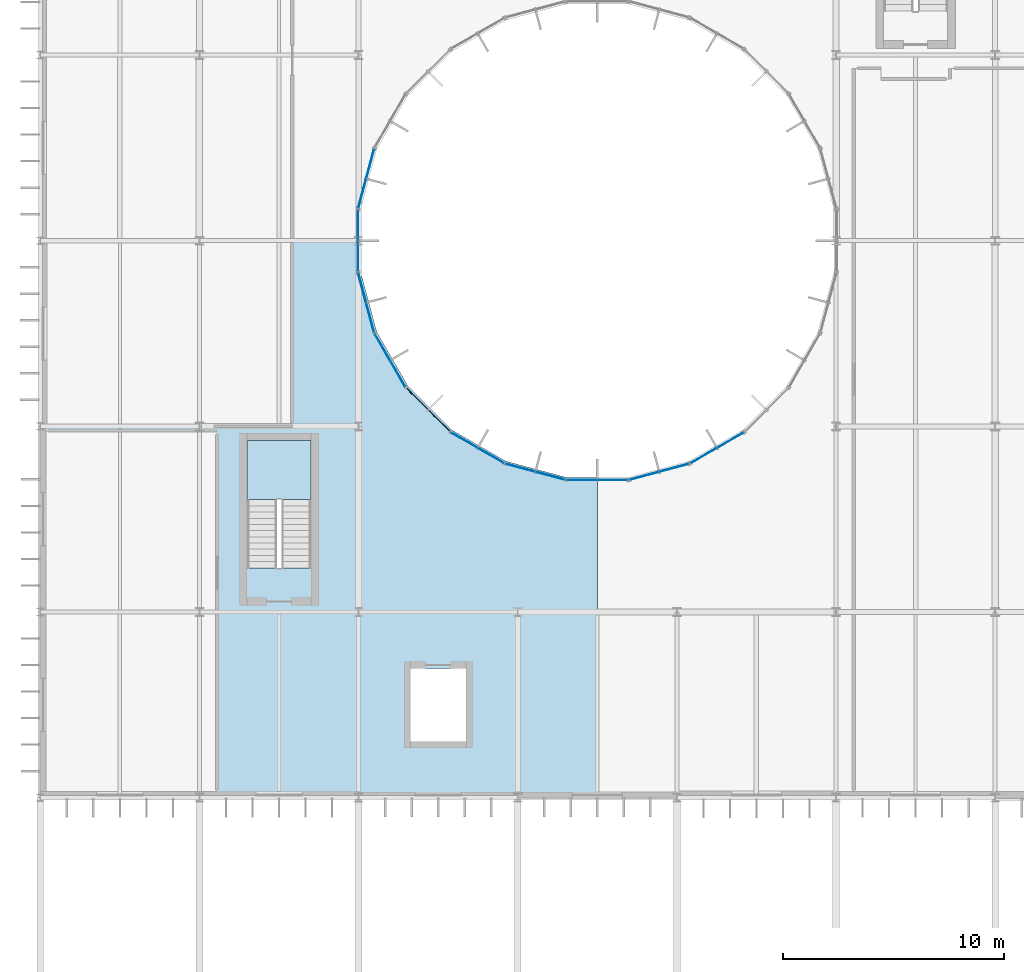
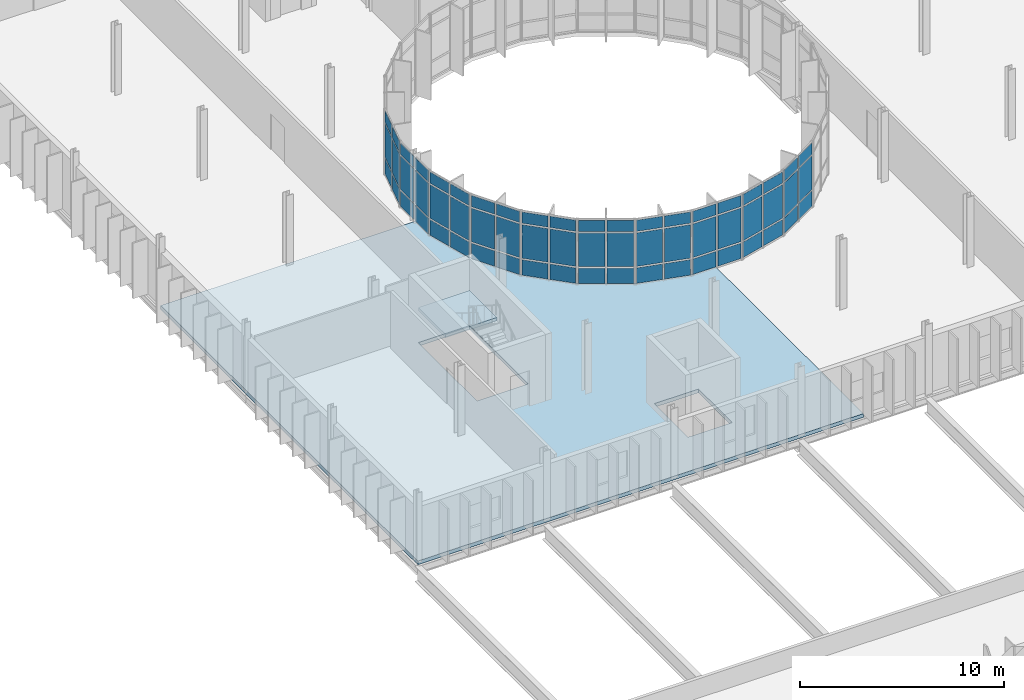
# One storey, part 73 of 119: 60 plates, 2 slabs, 11 elements without a shape of their own.
"""IFC4 building model written with IfcOpenShell, lengths in metres."""

from ifc_helpers import new_model, si_unit, direction, frame, origin, origin_2d, place, context, subcontext, project, spatial, polyline, rectangle, outline, extrude, material, layer, layer_set, type_object, element, aggregate, save


model = new_model("IFC4")

# Units and contexts
model_context = context("Model", 3, precision=1e-05, world=origin(), true_north=direction((0.0, 1.0)))
body_context = subcontext(model_context, "Body", "Model", "MODEL_VIEW")
ifc_project = project(units=[si_unit("LENGTHUNIT", "METRE"), si_unit("AREAUNIT", "SQUARE_METRE"), si_unit("VOLUMEUNIT", "CUBIC_METRE"), si_unit("PLANEANGLEUNIT", "RADIAN"), si_unit("MASSUNIT", "GRAM", prefix="KILO")], contexts=[model_context])

# Site, building, storey
site_placement = place(None, origin())
site = spatial("IfcSite", under=ifc_project, at=site_placement, CompositionType="ELEMENT")
building_placement = place(site_placement, origin())
building = spatial("IfcBuilding", under=site, at=building_placement, Name="Qelthora Terrace Specialist Clinic", CompositionType="ELEMENT")
storey_placement = place(building_placement, frame((0.0, 0.0, 4.800048828125)))
storey = spatial("IfcBuildingStorey", under=building, at=storey_placement, Name="L01", CompositionType="ELEMENT", Elevation=4.800048828125)

# Curtain wall, plates
ifc_material_1 = material(Name="Aluminium anodized bronze", Category="aluminium")
curtain_wall_type = type_object("IfcCurtainWallType", Name="CW-CRTW-UPP", PredefinedType="NOTDEFINED", material=ifc_material_1)
curtain_wall_1_placement = place(storey_placement, origin())
curtain_wall_1 = element("IfcCurtainWall", 1, at=curtain_wall_1_placement, inside=storey, type_object=curtain_wall_type, Name="Curtain wall CW-CW-L01-11", PredefinedType="NOTDEFINED")
ifc_material_2 = material(Name="Low-E triple-silver insulating glass", Category="glass")
ifc_layer_1 = layer(ifc_material_2, 0.035888671875)
ifc_layer_set_1 = layer_set([ifc_layer_1], Name="Low-E triple-silver insulating glass")
plate_type = type_object("IfcPlateType", Name="CWP-IGU-36", PredefinedType="CURTAIN_PANEL", material=ifc_layer_set_1)
plate_1_placement = place(storey_placement, frame((14.923828125, 87.483154296875, 0.0849609375), z_axis=(0.0, 0.0, 1.0), x_axis=(-0.258820730961, -0.965925374563, 0.0)))
plate_1 = element("IfcPlate", 2, at=plate_1_placement, type_object=plate_type, Name="CW-CW-L01-11 glazed panel 1", PredefinedType="CURTAIN_PANEL", context=body_context, shape_type="SweptSolid", body=[
    extrude(rectangle(XDim=1.3095703125, YDim=0.035888671875, at=origin_2d()), origin(), (0.0, 0.0, 1.0), 0.919921875),
])
plate_2_placement = place(storey_placement, frame((14.923828125, 87.483154296875, 1.094970703125), z_axis=(0.0, 0.0, 1.0), x_axis=(-0.258820730961, -0.965925374563, 0.0)))
plate_2 = element("IfcPlate", 3, at=plate_2_placement, type_object=plate_type, Name="CW-CW-L01-11 glazed panel 2", PredefinedType="CURTAIN_PANEL", context=body_context, shape_type="SweptSolid", body=[
    extrude(rectangle(XDim=1.3095703125, YDim=0.035888671875, at=origin_2d()), origin(), (0.0, 0.0, 1.0), 2.0048828125),
])
plate_3_placement = place(storey_placement, frame((14.923828125, 87.483154296875, 3.18994140625), z_axis=(0.0, 0.0, 1.0), x_axis=(-0.258820730961, -0.965925374563, 0.0)))
plate_3 = element("IfcPlate", 4, at=plate_3_placement, type_object=plate_type, Name="CW-CW-L01-11 glazed panel 3", PredefinedType="CURTAIN_PANEL", context=body_context, shape_type="SweptSolid", body=[
    extrude(rectangle(XDim=1.3095703125, YDim=0.035888671875, at=origin_2d()), origin(), (0.0, 0.0, 1.0), 0.669921875),
])
plate_4_placement = place(storey_placement, frame((14.558837890625, 86.12158203125, 0.0849609375), z_axis=(0.0, 0.0, 1.0), x_axis=(-0.258820730961, -0.965925374563, 0.0)))
plate_4 = element("IfcPlate", 5, at=plate_4_placement, type_object=plate_type, Name="CW-CW-L01-11 glazed panel 4", PredefinedType="CURTAIN_PANEL", context=body_context, shape_type="SweptSolid", body=[
    extrude(rectangle(XDim=1.3095703125, YDim=0.035888671875, at=origin_2d()), origin(), (0.0, 0.0, 1.0), 0.919921875),
])
plate_5_placement = place(storey_placement, frame((14.558837890625, 86.12158203125, 1.094970703125), z_axis=(0.0, 0.0, 1.0), x_axis=(-0.258820730961, -0.965925374563, 0.0)))
plate_5 = element("IfcPlate", 6, at=plate_5_placement, type_object=plate_type, Name="CW-CW-L01-11 glazed panel 5", PredefinedType="CURTAIN_PANEL", context=body_context, shape_type="SweptSolid", body=[
    extrude(rectangle(XDim=1.3095703125, YDim=0.035888671875, at=origin_2d()), origin(), (0.0, 0.0, 1.0), 2.0048828125),
])
plate_6_placement = place(storey_placement, frame((14.558837890625, 86.12158203125, 3.18994140625), z_axis=(0.0, 0.0, 1.0), x_axis=(-0.258820730961, -0.965925374563, 0.0)))
plate_6 = element("IfcPlate", 7, at=plate_6_placement, type_object=plate_type, Name="CW-CW-L01-11 glazed panel 6", PredefinedType="CURTAIN_PANEL", context=body_context, shape_type="SweptSolid", body=[
    extrude(rectangle(XDim=1.3095703125, YDim=0.035888671875, at=origin_2d()), origin(), (0.0, 0.0, 1.0), 0.669921875),
])
aggregate(curtain_wall_1, [plate_1, plate_2, plate_3, plate_4, plate_5, plate_6])

curtain_wall_2_placement = place(storey_placement, origin())
curtain_wall_2 = element("IfcCurtainWall", 8, at=curtain_wall_2_placement, inside=storey, type_object=curtain_wall_type, Name="Curtain wall CW-CW-L01-12", PredefinedType="NOTDEFINED")
plate_7_placement = place(storey_placement, frame((14.372314453125, 84.704833984375, 0.0849609375), z_axis=(0.0, 0.0, 1.0), x_axis=(0.0, -1.0, 0.0)))
plate_7 = element("IfcPlate", 9, at=plate_7_placement, type_object=plate_type, Name="CW-CW-L01-12 glazed panel 1", PredefinedType="CURTAIN_PANEL", context=body_context, shape_type="SweptSolid", body=[
    extrude(rectangle(XDim=1.3095703125, YDim=0.035888671875, at=origin_2d()), origin(), (0.0, 0.0, 1.0), 0.919921875),
])
plate_8_placement = place(storey_placement, frame((14.372314453125, 84.704833984375, 1.094970703125), z_axis=(0.0, 0.0, 1.0), x_axis=(0.0, -1.0, 0.0)))
plate_8 = element("IfcPlate", 10, at=plate_8_placement, type_object=plate_type, Name="CW-CW-L01-12 glazed panel 2", PredefinedType="CURTAIN_PANEL", context=body_context, shape_type="SweptSolid", body=[
    extrude(rectangle(XDim=1.3095703125, YDim=0.035888671875, at=origin_2d()), origin(), (0.0, 0.0, 1.0), 2.0048828125),
])
plate_9_placement = place(storey_placement, frame((14.372314453125, 84.704833984375, 3.18994140625), z_axis=(0.0, 0.0, 1.0), x_axis=(0.0, -1.0, 0.0)))
plate_9 = element("IfcPlate", 11, at=plate_9_placement, type_object=plate_type, Name="CW-CW-L01-12 glazed panel 3", PredefinedType="CURTAIN_PANEL", context=body_context, shape_type="SweptSolid", body=[
    extrude(rectangle(XDim=1.3095703125, YDim=0.035888671875, at=origin_2d()), origin(), (0.0, 0.0, 1.0), 0.669921875),
])
plate_10_placement = place(storey_placement, frame((14.372314453125, 83.295166015625, 0.0849609375), z_axis=(0.0, 0.0, 1.0), x_axis=(0.0, -1.0, 0.0)))
plate_10 = element("IfcPlate", 12, at=plate_10_placement, type_object=plate_type, Name="CW-CW-L01-12 glazed panel 4", PredefinedType="CURTAIN_PANEL", context=body_context, shape_type="SweptSolid", body=[
    extrude(rectangle(XDim=1.3095703125, YDim=0.035888671875, at=origin_2d()), origin(), (0.0, 0.0, 1.0), 0.919921875),
])
plate_11_placement = place(storey_placement, frame((14.372314453125, 83.295166015625, 1.094970703125), z_axis=(0.0, 0.0, 1.0), x_axis=(0.0, -1.0, 0.0)))
plate_11 = element("IfcPlate", 13, at=plate_11_placement, type_object=plate_type, Name="CW-CW-L01-12 glazed panel 5", PredefinedType="CURTAIN_PANEL", context=body_context, shape_type="SweptSolid", body=[
    extrude(rectangle(XDim=1.3095703125, YDim=0.035888671875, at=origin_2d()), origin(), (0.0, 0.0, 1.0), 2.0048828125),
])
plate_12_placement = place(storey_placement, frame((14.372314453125, 83.295166015625, 3.18994140625), z_axis=(0.0, 0.0, 1.0), x_axis=(0.0, -1.0, 0.0)))
plate_12 = element("IfcPlate", 14, at=plate_12_placement, type_object=plate_type, Name="CW-CW-L01-12 glazed panel 6", PredefinedType="CURTAIN_PANEL", context=body_context, shape_type="SweptSolid", body=[
    extrude(rectangle(XDim=1.3095703125, YDim=0.035888671875, at=origin_2d()), origin(), (0.0, 0.0, 1.0), 0.669921875),
])
aggregate(curtain_wall_2, [plate_7, plate_8, plate_9, plate_10, plate_11, plate_12])

curtain_wall_3_placement = place(storey_placement, origin())
curtain_wall_3 = element("IfcCurtainWall", 15, at=curtain_wall_3_placement, inside=storey, type_object=curtain_wall_type, Name="Curtain wall CW-CW-L01-13", PredefinedType="NOTDEFINED")
plate_13_placement = place(storey_placement, frame((14.558837890625, 81.87841796875, 0.0849609375), z_axis=(0.0, 0.0, 1.0), x_axis=(0.258820730961, -0.965925374563, 0.0)))
plate_13 = element("IfcPlate", 16, at=plate_13_placement, type_object=plate_type, Name="CW-CW-L01-13 glazed panel 1", PredefinedType="CURTAIN_PANEL", context=body_context, shape_type="SweptSolid", body=[
    extrude(rectangle(XDim=1.3095703125, YDim=0.035888671875, at=origin_2d()), origin(), (0.0, 0.0, 1.0), 0.919921875),
])
plate_14_placement = place(storey_placement, frame((14.558837890625, 81.87841796875, 1.094970703125), z_axis=(0.0, 0.0, 1.0), x_axis=(0.258820730961, -0.965925374563, 0.0)))
plate_14 = element("IfcPlate", 17, at=plate_14_placement, type_object=plate_type, Name="CW-CW-L01-13 glazed panel 2", PredefinedType="CURTAIN_PANEL", context=body_context, shape_type="SweptSolid", body=[
    extrude(rectangle(XDim=1.3095703125, YDim=0.035888671875, at=origin_2d()), origin(), (0.0, 0.0, 1.0), 2.0048828125),
])
plate_15_placement = place(storey_placement, frame((14.558837890625, 81.87841796875, 3.18994140625), z_axis=(0.0, 0.0, 1.0), x_axis=(0.258820730961, -0.965925374563, 0.0)))
plate_15 = element("IfcPlate", 18, at=plate_15_placement, type_object=plate_type, Name="CW-CW-L01-13 glazed panel 3", PredefinedType="CURTAIN_PANEL", context=body_context, shape_type="SweptSolid", body=[
    extrude(rectangle(XDim=1.3095703125, YDim=0.035888671875, at=origin_2d()), origin(), (0.0, 0.0, 1.0), 0.669921875),
])
plate_16_placement = place(storey_placement, frame((14.923828125, 80.516845703125, 0.0849609375), z_axis=(0.0, 0.0, 1.0), x_axis=(0.258820730961, -0.965925374563, 0.0)))
plate_16 = element("IfcPlate", 19, at=plate_16_placement, type_object=plate_type, Name="CW-CW-L01-13 glazed panel 4", PredefinedType="CURTAIN_PANEL", context=body_context, shape_type="SweptSolid", body=[
    extrude(rectangle(XDim=1.3095703125, YDim=0.035888671875, at=origin_2d()), origin(), (0.0, 0.0, 1.0), 0.919921875),
])
plate_17_placement = place(storey_placement, frame((14.923828125, 80.516845703125, 1.094970703125), z_axis=(0.0, 0.0, 1.0), x_axis=(0.258820730961, -0.965925374563, 0.0)))
plate_17 = element("IfcPlate", 20, at=plate_17_placement, type_object=plate_type, Name="CW-CW-L01-13 glazed panel 5", PredefinedType="CURTAIN_PANEL", context=body_context, shape_type="SweptSolid", body=[
    extrude(rectangle(XDim=1.3095703125, YDim=0.035888671875, at=origin_2d()), origin(), (0.0, 0.0, 1.0), 2.0048828125),
])
plate_18_placement = place(storey_placement, frame((14.923828125, 80.516845703125, 3.18994140625), z_axis=(0.0, 0.0, 1.0), x_axis=(0.258820730961, -0.965925374563, 0.0)))
plate_18 = element("IfcPlate", 21, at=plate_18_placement, type_object=plate_type, Name="CW-CW-L01-13 glazed panel 6", PredefinedType="CURTAIN_PANEL", context=body_context, shape_type="SweptSolid", body=[
    extrude(rectangle(XDim=1.3095703125, YDim=0.035888671875, at=origin_2d()), origin(), (0.0, 0.0, 1.0), 0.669921875),
])
aggregate(curtain_wall_3, [plate_13, plate_14, plate_15, plate_16, plate_17, plate_18])

curtain_wall_4_placement = place(storey_placement, origin())
curtain_wall_4 = element("IfcCurtainWall", 22, at=curtain_wall_4_placement, inside=storey, type_object=curtain_wall_type, Name="Curtain wall CW-CW-L01-14", PredefinedType="NOTDEFINED")
plate_19_placement = place(storey_placement, frame((15.470703125, 79.196533203125, 0.0849609375), z_axis=(0.0, 0.0, 1.0), x_axis=(0.5, -0.866025403784, 0.0)))
plate_19 = element("IfcPlate", 23, at=plate_19_placement, type_object=plate_type, Name="CW-CW-L01-14 glazed panel 1", PredefinedType="CURTAIN_PANEL", context=body_context, shape_type="SweptSolid", body=[
    extrude(rectangle(XDim=1.3095703125, YDim=0.035888671875, at=origin_2d()), origin(), (0.0, 0.0, 1.0), 0.919921875),
])
plate_20_placement = place(storey_placement, frame((15.470703125, 79.196533203125, 1.094970703125), z_axis=(0.0, 0.0, 1.0), x_axis=(0.5, -0.866025403784, 0.0)))
plate_20 = element("IfcPlate", 24, at=plate_20_placement, type_object=plate_type, Name="CW-CW-L01-14 glazed panel 2", PredefinedType="CURTAIN_PANEL", context=body_context, shape_type="SweptSolid", body=[
    extrude(rectangle(XDim=1.3095703125, YDim=0.035888671875, at=origin_2d()), origin(), (0.0, 0.0, 1.0), 2.0048828125),
])
plate_21_placement = place(storey_placement, frame((15.470703125, 79.196533203125, 3.18994140625), z_axis=(0.0, 0.0, 1.0), x_axis=(0.5, -0.866025403784, 0.0)))
plate_21 = element("IfcPlate", 25, at=plate_21_placement, type_object=plate_type, Name="CW-CW-L01-14 glazed panel 3", PredefinedType="CURTAIN_PANEL", context=body_context, shape_type="SweptSolid", body=[
    extrude(rectangle(XDim=1.3095703125, YDim=0.035888671875, at=origin_2d()), origin(), (0.0, 0.0, 1.0), 0.669921875),
])
plate_22_placement = place(storey_placement, frame((16.175537109375, 77.975830078125, 0.0849609375), z_axis=(0.0, 0.0, 1.0), x_axis=(0.5, -0.866025403784, 0.0)))
plate_22 = element("IfcPlate", 26, at=plate_22_placement, type_object=plate_type, Name="CW-CW-L01-14 glazed panel 4", PredefinedType="CURTAIN_PANEL", context=body_context, shape_type="SweptSolid", body=[
    extrude(rectangle(XDim=1.3095703125, YDim=0.035888671875, at=origin_2d()), origin(), (0.0, 0.0, 1.0), 0.919921875),
])
plate_23_placement = place(storey_placement, frame((16.175537109375, 77.975830078125, 1.094970703125), z_axis=(0.0, 0.0, 1.0), x_axis=(0.5, -0.866025403784, 0.0)))
plate_23 = element("IfcPlate", 27, at=plate_23_placement, type_object=plate_type, Name="CW-CW-L01-14 glazed panel 5", PredefinedType="CURTAIN_PANEL", context=body_context, shape_type="SweptSolid", body=[
    extrude(rectangle(XDim=1.3095703125, YDim=0.035888671875, at=origin_2d()), origin(), (0.0, 0.0, 1.0), 2.0048828125),
])
plate_24_placement = place(storey_placement, frame((16.175537109375, 77.975830078125, 3.18994140625), z_axis=(0.0, 0.0, 1.0), x_axis=(0.5, -0.866025403784, 0.0)))
plate_24 = element("IfcPlate", 28, at=plate_24_placement, type_object=plate_type, Name="CW-CW-L01-14 glazed panel 6", PredefinedType="CURTAIN_PANEL", context=body_context, shape_type="SweptSolid", body=[
    extrude(rectangle(XDim=1.3095703125, YDim=0.035888671875, at=origin_2d()), origin(), (0.0, 0.0, 1.0), 0.669921875),
])
aggregate(curtain_wall_4, [plate_19, plate_20, plate_21, plate_22, plate_23, plate_24])

curtain_wall_5_placement = place(storey_placement, origin())
curtain_wall_5 = element("IfcCurtainWall", 29, at=curtain_wall_5_placement, inside=storey, type_object=curtain_wall_type, Name="Curtain wall CW-CW-L01-15", PredefinedType="NOTDEFINED")
plate_25_placement = place(storey_placement, frame((17.04541015625, 76.842041015625, 0.0849609375), z_axis=(0.0, 0.0, 1.0), x_axis=(0.707106781187, -0.707106781187, 0.0)))
plate_25 = element("IfcPlate", 30, at=plate_25_placement, type_object=plate_type, Name="CW-CW-L01-15 glazed panel 1", PredefinedType="CURTAIN_PANEL", context=body_context, shape_type="SweptSolid", body=[
    extrude(rectangle(XDim=1.3095703125, YDim=0.035888671875, at=origin_2d()), origin(), (0.0, 0.0, 1.0), 0.919921875),
])
plate_26_placement = place(storey_placement, frame((17.04541015625, 76.842041015625, 1.094970703125), z_axis=(0.0, 0.0, 1.0), x_axis=(0.707106781187, -0.707106781187, 0.0)))
plate_26 = element("IfcPlate", 31, at=plate_26_placement, type_object=plate_type, Name="CW-CW-L01-15 glazed panel 2", PredefinedType="CURTAIN_PANEL", context=body_context, shape_type="SweptSolid", body=[
    extrude(rectangle(XDim=1.3095703125, YDim=0.035888671875, at=origin_2d()), origin(), (0.0, 0.0, 1.0), 2.0048828125),
])
plate_27_placement = place(storey_placement, frame((17.04541015625, 76.842041015625, 3.18994140625), z_axis=(0.0, 0.0, 1.0), x_axis=(0.707106781187, -0.707106781187, 0.0)))
plate_27 = element("IfcPlate", 32, at=plate_27_placement, type_object=plate_type, Name="CW-CW-L01-15 glazed panel 3", PredefinedType="CURTAIN_PANEL", context=body_context, shape_type="SweptSolid", body=[
    extrude(rectangle(XDim=1.3095703125, YDim=0.035888671875, at=origin_2d()), origin(), (0.0, 0.0, 1.0), 0.669921875),
])
plate_28_placement = place(storey_placement, frame((18.042236328125, 75.84521484375, 0.0849609375), z_axis=(0.0, 0.0, 1.0), x_axis=(0.707106781187, -0.707106781187, 0.0)))
plate_28 = element("IfcPlate", 33, at=plate_28_placement, type_object=plate_type, Name="CW-CW-L01-15 glazed panel 4", PredefinedType="CURTAIN_PANEL", context=body_context, shape_type="SweptSolid", body=[
    extrude(rectangle(XDim=1.3095703125, YDim=0.035888671875, at=origin_2d()), origin(), (0.0, 0.0, 1.0), 0.919921875),
])
plate_29_placement = place(storey_placement, frame((18.042236328125, 75.84521484375, 1.094970703125), z_axis=(0.0, 0.0, 1.0), x_axis=(0.707106781187, -0.707106781187, 0.0)))
plate_29 = element("IfcPlate", 34, at=plate_29_placement, type_object=plate_type, Name="CW-CW-L01-15 glazed panel 5", PredefinedType="CURTAIN_PANEL", context=body_context, shape_type="SweptSolid", body=[
    extrude(rectangle(XDim=1.3095703125, YDim=0.035888671875, at=origin_2d()), origin(), (0.0, 0.0, 1.0), 2.0048828125),
])
plate_30_placement = place(storey_placement, frame((18.042236328125, 75.84521484375, 3.18994140625), z_axis=(0.0, 0.0, 1.0), x_axis=(0.707106781187, -0.707106781187, 0.0)))
plate_30 = element("IfcPlate", 35, at=plate_30_placement, type_object=plate_type, Name="CW-CW-L01-15 glazed panel 6", PredefinedType="CURTAIN_PANEL", context=body_context, shape_type="SweptSolid", body=[
    extrude(rectangle(XDim=1.3095703125, YDim=0.035888671875, at=origin_2d()), origin(), (0.0, 0.0, 1.0), 0.669921875),
])
aggregate(curtain_wall_5, [plate_25, plate_26, plate_27, plate_28, plate_29, plate_30])

curtain_wall_6_placement = place(storey_placement, origin())
curtain_wall_6 = element("IfcCurtainWall", 36, at=curtain_wall_6_placement, inside=storey, type_object=curtain_wall_type, Name="Curtain wall CW-CW-L01-16", PredefinedType="NOTDEFINED")
plate_31_placement = place(storey_placement, frame((19.17578125, 74.975341796875, 0.0849609375), z_axis=(0.0, 0.0, 1.0), x_axis=(0.866025403784, -0.5, 0.0)))
plate_31 = element("IfcPlate", 37, at=plate_31_placement, type_object=plate_type, Name="CW-CW-L01-16 glazed panel 1", PredefinedType="CURTAIN_PANEL", context=body_context, shape_type="SweptSolid", body=[
    extrude(rectangle(XDim=1.3095703125, YDim=0.035888671875, at=origin_2d()), origin(), (0.0, 0.0, 1.0), 0.919921875),
])
plate_32_placement = place(storey_placement, frame((19.17578125, 74.975341796875, 1.094970703125), z_axis=(0.0, 0.0, 1.0), x_axis=(0.866025403784, -0.5, 0.0)))
plate_32 = element("IfcPlate", 38, at=plate_32_placement, type_object=plate_type, Name="CW-CW-L01-16 glazed panel 2", PredefinedType="CURTAIN_PANEL", context=body_context, shape_type="SweptSolid", body=[
    extrude(rectangle(XDim=1.3095703125, YDim=0.035888671875, at=origin_2d()), origin(), (0.0, 0.0, 1.0), 2.0048828125),
])
plate_33_placement = place(storey_placement, frame((19.17578125, 74.975341796875, 3.18994140625), z_axis=(0.0, 0.0, 1.0), x_axis=(0.866025403784, -0.5, 0.0)))
plate_33 = element("IfcPlate", 39, at=plate_33_placement, type_object=plate_type, Name="CW-CW-L01-16 glazed panel 3", PredefinedType="CURTAIN_PANEL", context=body_context, shape_type="SweptSolid", body=[
    extrude(rectangle(XDim=1.3095703125, YDim=0.035888671875, at=origin_2d()), origin(), (0.0, 0.0, 1.0), 0.669921875),
])
plate_34_placement = place(storey_placement, frame((20.396728515625, 74.2705078125, 0.0849609375), z_axis=(0.0, 0.0, 1.0), x_axis=(0.866025403784, -0.5, 0.0)))
plate_34 = element("IfcPlate", 40, at=plate_34_placement, type_object=plate_type, Name="CW-CW-L01-16 glazed panel 4", PredefinedType="CURTAIN_PANEL", context=body_context, shape_type="SweptSolid", body=[
    extrude(rectangle(XDim=1.3095703125, YDim=0.035888671875, at=origin_2d()), origin(), (0.0, 0.0, 1.0), 0.919921875),
])
plate_35_placement = place(storey_placement, frame((20.396728515625, 74.2705078125, 1.094970703125), z_axis=(0.0, 0.0, 1.0), x_axis=(0.866025403784, -0.5, 0.0)))
plate_35 = element("IfcPlate", 41, at=plate_35_placement, type_object=plate_type, Name="CW-CW-L01-16 glazed panel 5", PredefinedType="CURTAIN_PANEL", context=body_context, shape_type="SweptSolid", body=[
    extrude(rectangle(XDim=1.3095703125, YDim=0.035888671875, at=origin_2d()), origin(), (0.0, 0.0, 1.0), 2.0048828125),
])
plate_36_placement = place(storey_placement, frame((20.396728515625, 74.2705078125, 3.18994140625), z_axis=(0.0, 0.0, 1.0), x_axis=(0.866025403784, -0.5, 0.0)))
plate_36 = element("IfcPlate", 42, at=plate_36_placement, type_object=plate_type, Name="CW-CW-L01-16 glazed panel 6", PredefinedType="CURTAIN_PANEL", context=body_context, shape_type="SweptSolid", body=[
    extrude(rectangle(XDim=1.3095703125, YDim=0.035888671875, at=origin_2d()), origin(), (0.0, 0.0, 1.0), 0.669921875),
])
aggregate(curtain_wall_6, [plate_31, plate_32, plate_33, plate_34, plate_35, plate_36])

curtain_wall_7_placement = place(storey_placement, origin())
curtain_wall_7 = element("IfcCurtainWall", 43, at=curtain_wall_7_placement, inside=storey, type_object=curtain_wall_type, Name="Curtain wall CW-CW-L01-17", PredefinedType="NOTDEFINED")
plate_37_placement = place(storey_placement, frame((21.716796875, 73.723876953125, 0.0849609375), z_axis=(0.0, 0.0, 1.0), x_axis=(0.965925374563, -0.258820730961, 0.0)))
plate_37 = element("IfcPlate", 44, at=plate_37_placement, type_object=plate_type, Name="CW-CW-L01-17 glazed panel 1", PredefinedType="CURTAIN_PANEL", context=body_context, shape_type="SweptSolid", body=[
    extrude(rectangle(XDim=1.3095703125, YDim=0.035888671875, at=origin_2d()), origin(), (0.0, 0.0, 1.0), 0.919921875),
])
plate_38_placement = place(storey_placement, frame((21.716796875, 73.723876953125, 1.094970703125), z_axis=(0.0, 0.0, 1.0), x_axis=(0.965925374563, -0.258820730961, 0.0)))
plate_38 = element("IfcPlate", 45, at=plate_38_placement, type_object=plate_type, Name="CW-CW-L01-17 glazed panel 2", PredefinedType="CURTAIN_PANEL", context=body_context, shape_type="SweptSolid", body=[
    extrude(rectangle(XDim=1.3095703125, YDim=0.035888671875, at=origin_2d()), origin(), (0.0, 0.0, 1.0), 2.0048828125),
])
plate_39_placement = place(storey_placement, frame((21.716796875, 73.723876953125, 3.18994140625), z_axis=(0.0, 0.0, 1.0), x_axis=(0.965925374563, -0.258820730961, 0.0)))
plate_39 = element("IfcPlate", 46, at=plate_39_placement, type_object=plate_type, Name="CW-CW-L01-17 glazed panel 3", PredefinedType="CURTAIN_PANEL", context=body_context, shape_type="SweptSolid", body=[
    extrude(rectangle(XDim=1.3095703125, YDim=0.035888671875, at=origin_2d()), origin(), (0.0, 0.0, 1.0), 0.669921875),
])
plate_40_placement = place(storey_placement, frame((23.078369140625, 73.35888671875, 0.0849609375), z_axis=(0.0, 0.0, 1.0), x_axis=(0.965925374563, -0.258820730961, 0.0)))
plate_40 = element("IfcPlate", 47, at=plate_40_placement, type_object=plate_type, Name="CW-CW-L01-17 glazed panel 4", PredefinedType="CURTAIN_PANEL", context=body_context, shape_type="SweptSolid", body=[
    extrude(rectangle(XDim=1.3095703125, YDim=0.035888671875, at=origin_2d()), origin(), (0.0, 0.0, 1.0), 0.919921875),
])
plate_41_placement = place(storey_placement, frame((23.078369140625, 73.35888671875, 1.094970703125), z_axis=(0.0, 0.0, 1.0), x_axis=(0.965925374563, -0.258820730961, 0.0)))
plate_41 = element("IfcPlate", 48, at=plate_41_placement, type_object=plate_type, Name="CW-CW-L01-17 glazed panel 5", PredefinedType="CURTAIN_PANEL", context=body_context, shape_type="SweptSolid", body=[
    extrude(rectangle(XDim=1.3095703125, YDim=0.035888671875, at=origin_2d()), origin(), (0.0, 0.0, 1.0), 2.0048828125),
])
plate_42_placement = place(storey_placement, frame((23.078369140625, 73.35888671875, 3.18994140625), z_axis=(0.0, 0.0, 1.0), x_axis=(0.965925374563, -0.258820730961, 0.0)))
plate_42 = element("IfcPlate", 49, at=plate_42_placement, type_object=plate_type, Name="CW-CW-L01-17 glazed panel 6", PredefinedType="CURTAIN_PANEL", context=body_context, shape_type="SweptSolid", body=[
    extrude(rectangle(XDim=1.3095703125, YDim=0.035888671875, at=origin_2d()), origin(), (0.0, 0.0, 1.0), 0.669921875),
])
aggregate(curtain_wall_7, [plate_37, plate_38, plate_39, plate_40, plate_41, plate_42])

curtain_wall_8_placement = place(storey_placement, origin())
curtain_wall_8 = element("IfcCurtainWall", 50, at=curtain_wall_8_placement, inside=storey, type_object=curtain_wall_type, Name="Curtain wall CW-CW-L01-18", PredefinedType="NOTDEFINED")
plate_43_placement = place(storey_placement, frame((24.4951171875, 73.17236328125, 0.0849609375), z_axis=(0.0, 0.0, 1.0), x_axis=(1.0, 0.0, 0.0)))
plate_43 = element("IfcPlate", 51, at=plate_43_placement, type_object=plate_type, Name="CW-CW-L01-18 glazed panel 1", PredefinedType="CURTAIN_PANEL", context=body_context, shape_type="SweptSolid", body=[
    extrude(rectangle(XDim=1.3095703125, YDim=0.035888671875, at=origin_2d()), origin(), (0.0, 0.0, 1.0), 0.919921875),
])
plate_44_placement = place(storey_placement, frame((24.4951171875, 73.17236328125, 1.094970703125), z_axis=(0.0, 0.0, 1.0), x_axis=(1.0, 0.0, 0.0)))
plate_44 = element("IfcPlate", 52, at=plate_44_placement, type_object=plate_type, Name="CW-CW-L01-18 glazed panel 2", PredefinedType="CURTAIN_PANEL", context=body_context, shape_type="SweptSolid", body=[
    extrude(rectangle(XDim=1.3095703125, YDim=0.035888671875, at=origin_2d()), origin(), (0.0, 0.0, 1.0), 2.0048828125),
])
plate_45_placement = place(storey_placement, frame((24.4951171875, 73.17236328125, 3.18994140625), z_axis=(0.0, 0.0, 1.0), x_axis=(1.0, 0.0, 0.0)))
plate_45 = element("IfcPlate", 53, at=plate_45_placement, type_object=plate_type, Name="CW-CW-L01-18 glazed panel 3", PredefinedType="CURTAIN_PANEL", context=body_context, shape_type="SweptSolid", body=[
    extrude(rectangle(XDim=1.3095703125, YDim=0.035888671875, at=origin_2d()), origin(), (0.0, 0.0, 1.0), 0.669921875),
])
plate_46_placement = place(storey_placement, frame((25.90478515625, 73.17236328125, 0.0849609375), z_axis=(0.0, 0.0, 1.0), x_axis=(1.0, 0.0, 0.0)))
plate_46 = element("IfcPlate", 54, at=plate_46_placement, type_object=plate_type, Name="CW-CW-L01-18 glazed panel 4", PredefinedType="CURTAIN_PANEL", context=body_context, shape_type="SweptSolid", body=[
    extrude(rectangle(XDim=1.3095703125, YDim=0.035888671875, at=origin_2d()), origin(), (0.0, 0.0, 1.0), 0.919921875),
])
plate_47_placement = place(storey_placement, frame((25.90478515625, 73.17236328125, 1.094970703125), z_axis=(0.0, 0.0, 1.0), x_axis=(1.0, 0.0, 0.0)))
plate_47 = element("IfcPlate", 55, at=plate_47_placement, type_object=plate_type, Name="CW-CW-L01-18 glazed panel 5", PredefinedType="CURTAIN_PANEL", context=body_context, shape_type="SweptSolid", body=[
    extrude(rectangle(XDim=1.3095703125, YDim=0.035888671875, at=origin_2d()), origin(), (0.0, 0.0, 1.0), 2.0048828125),
])
plate_48_placement = place(storey_placement, frame((25.90478515625, 73.17236328125, 3.18994140625), z_axis=(0.0, 0.0, 1.0), x_axis=(1.0, 0.0, 0.0)))
plate_48 = element("IfcPlate", 56, at=plate_48_placement, type_object=plate_type, Name="CW-CW-L01-18 glazed panel 6", PredefinedType="CURTAIN_PANEL", context=body_context, shape_type="SweptSolid", body=[
    extrude(rectangle(XDim=1.3095703125, YDim=0.035888671875, at=origin_2d()), origin(), (0.0, 0.0, 1.0), 0.669921875),
])
aggregate(curtain_wall_8, [plate_43, plate_44, plate_45, plate_46, plate_47, plate_48])

curtain_wall_9_placement = place(storey_placement, origin())
curtain_wall_9 = element("IfcCurtainWall", 57, at=curtain_wall_9_placement, inside=storey, type_object=curtain_wall_type, Name="Curtain wall CW-CW-L01-19", PredefinedType="NOTDEFINED")
plate_49_placement = place(storey_placement, frame((27.321533203125, 73.35888671875, 0.0849609375), z_axis=(0.0, 0.0, 1.0), x_axis=(0.965925374563, 0.258820730961, 0.0)))
plate_49 = element("IfcPlate", 58, at=plate_49_placement, type_object=plate_type, Name="CW-CW-L01-19 glazed panel 1", PredefinedType="CURTAIN_PANEL", context=body_context, shape_type="SweptSolid", body=[
    extrude(rectangle(XDim=1.3095703125, YDim=0.035888671875, at=origin_2d()), origin(), (0.0, 0.0, 1.0), 0.919921875),
])
plate_50_placement = place(storey_placement, frame((27.321533203125, 73.35888671875, 1.094970703125), z_axis=(0.0, 0.0, 1.0), x_axis=(0.965925374563, 0.258820730961, 0.0)))
plate_50 = element("IfcPlate", 59, at=plate_50_placement, type_object=plate_type, Name="CW-CW-L01-19 glazed panel 2", PredefinedType="CURTAIN_PANEL", context=body_context, shape_type="SweptSolid", body=[
    extrude(rectangle(XDim=1.3095703125, YDim=0.035888671875, at=origin_2d()), origin(), (0.0, 0.0, 1.0), 2.0048828125),
])
plate_51_placement = place(storey_placement, frame((27.321533203125, 73.35888671875, 3.18994140625), z_axis=(0.0, 0.0, 1.0), x_axis=(0.965925374563, 0.258820730961, 0.0)))
plate_51 = element("IfcPlate", 60, at=plate_51_placement, type_object=plate_type, Name="CW-CW-L01-19 glazed panel 3", PredefinedType="CURTAIN_PANEL", context=body_context, shape_type="SweptSolid", body=[
    extrude(rectangle(XDim=1.3095703125, YDim=0.035888671875, at=origin_2d()), origin(), (0.0, 0.0, 1.0), 0.669921875),
])
plate_52_placement = place(storey_placement, frame((28.68310546875, 73.723876953125, 0.0849609375), z_axis=(0.0, 0.0, 1.0), x_axis=(0.965925374563, 0.258820730961, 0.0)))
plate_52 = element("IfcPlate", 61, at=plate_52_placement, type_object=plate_type, Name="CW-CW-L01-19 glazed panel 4", PredefinedType="CURTAIN_PANEL", context=body_context, shape_type="SweptSolid", body=[
    extrude(rectangle(XDim=1.3095703125, YDim=0.035888671875, at=origin_2d()), origin(), (0.0, 0.0, 1.0), 0.919921875),
])
plate_53_placement = place(storey_placement, frame((28.68310546875, 73.723876953125, 1.094970703125), z_axis=(0.0, 0.0, 1.0), x_axis=(0.965925374563, 0.258820730961, 0.0)))
plate_53 = element("IfcPlate", 62, at=plate_53_placement, type_object=plate_type, Name="CW-CW-L01-19 glazed panel 5", PredefinedType="CURTAIN_PANEL", context=body_context, shape_type="SweptSolid", body=[
    extrude(rectangle(XDim=1.3095703125, YDim=0.035888671875, at=origin_2d()), origin(), (0.0, 0.0, 1.0), 2.0048828125),
])
plate_54_placement = place(storey_placement, frame((28.68310546875, 73.723876953125, 3.18994140625), z_axis=(0.0, 0.0, 1.0), x_axis=(0.965925374563, 0.258820730961, 0.0)))
plate_54 = element("IfcPlate", 63, at=plate_54_placement, type_object=plate_type, Name="CW-CW-L01-19 glazed panel 6", PredefinedType="CURTAIN_PANEL", context=body_context, shape_type="SweptSolid", body=[
    extrude(rectangle(XDim=1.3095703125, YDim=0.035888671875, at=origin_2d()), origin(), (0.0, 0.0, 1.0), 0.669921875),
])
aggregate(curtain_wall_9, [plate_49, plate_50, plate_51, plate_52, plate_53, plate_54])

curtain_wall_10_placement = place(storey_placement, origin())
curtain_wall_10 = element("IfcCurtainWall", 64, at=curtain_wall_10_placement, inside=storey, type_object=curtain_wall_type, Name="Curtain wall CW-CW-L01-20", PredefinedType="NOTDEFINED")
plate_55_placement = place(storey_placement, frame((30.00341796875, 74.2705078125, 0.0849609375), z_axis=(0.0, 0.0, 1.0), x_axis=(0.866025403784, 0.5, 0.0)))
plate_55 = element("IfcPlate", 65, at=plate_55_placement, type_object=plate_type, Name="CW-CW-L01-20 glazed panel 1", PredefinedType="CURTAIN_PANEL", context=body_context, shape_type="SweptSolid", body=[
    extrude(rectangle(XDim=1.3095703125, YDim=0.035888671875, at=origin_2d()), origin(), (0.0, 0.0, 1.0), 0.919921875),
])
plate_56_placement = place(storey_placement, frame((30.00341796875, 74.2705078125, 1.094970703125), z_axis=(0.0, 0.0, 1.0), x_axis=(0.866025403784, 0.5, 0.0)))
plate_56 = element("IfcPlate", 66, at=plate_56_placement, type_object=plate_type, Name="CW-CW-L01-20 glazed panel 2", PredefinedType="CURTAIN_PANEL", context=body_context, shape_type="SweptSolid", body=[
    extrude(rectangle(XDim=1.3095703125, YDim=0.035888671875, at=origin_2d()), origin(), (0.0, 0.0, 1.0), 2.0048828125),
])
plate_57_placement = place(storey_placement, frame((30.00341796875, 74.2705078125, 3.18994140625), z_axis=(0.0, 0.0, 1.0), x_axis=(0.866025403784, 0.5, 0.0)))
plate_57 = element("IfcPlate", 67, at=plate_57_placement, type_object=plate_type, Name="CW-CW-L01-20 glazed panel 3", PredefinedType="CURTAIN_PANEL", context=body_context, shape_type="SweptSolid", body=[
    extrude(rectangle(XDim=1.3095703125, YDim=0.035888671875, at=origin_2d()), origin(), (0.0, 0.0, 1.0), 0.669921875),
])
plate_58_placement = place(storey_placement, frame((31.22412109375, 74.975341796875, 0.0849609375), z_axis=(0.0, 0.0, 1.0), x_axis=(0.866025403784, 0.5, 0.0)))
plate_58 = element("IfcPlate", 68, at=plate_58_placement, type_object=plate_type, Name="CW-CW-L01-20 glazed panel 4", PredefinedType="CURTAIN_PANEL", context=body_context, shape_type="SweptSolid", body=[
    extrude(rectangle(XDim=1.3095703125, YDim=0.035888671875, at=origin_2d()), origin(), (0.0, 0.0, 1.0), 0.919921875),
])
plate_59_placement = place(storey_placement, frame((31.22412109375, 74.975341796875, 1.094970703125), z_axis=(0.0, 0.0, 1.0), x_axis=(0.866025403784, 0.5, 0.0)))
plate_59 = element("IfcPlate", 69, at=plate_59_placement, type_object=plate_type, Name="CW-CW-L01-20 glazed panel 5", PredefinedType="CURTAIN_PANEL", context=body_context, shape_type="SweptSolid", body=[
    extrude(rectangle(XDim=1.3095703125, YDim=0.035888671875, at=origin_2d()), origin(), (0.0, 0.0, 1.0), 2.0048828125),
])
plate_60_placement = place(storey_placement, frame((31.22412109375, 74.975341796875, 3.18994140625), z_axis=(0.0, 0.0, 1.0), x_axis=(0.866025403784, 0.5, 0.0)))
plate_60 = element("IfcPlate", 70, at=plate_60_placement, type_object=plate_type, Name="CW-CW-L01-20 glazed panel 6", PredefinedType="CURTAIN_PANEL", context=body_context, shape_type="SweptSolid", body=[
    extrude(rectangle(XDim=1.3095703125, YDim=0.035888671875, at=origin_2d()), origin(), (0.0, 0.0, 1.0), 0.669921875),
])
aggregate(curtain_wall_10, [plate_55, plate_56, plate_57, plate_58, plate_59, plate_60])

# Slab
ifc_material_3 = material(Name="Concrete C30/37", Category="concrete")
ifc_layer_2 = layer(ifc_material_3, 0.219970703125)
ifc_layer_set_2 = layer_set([ifc_layer_2], Name="Concrete C30/37")
slab_type_1 = type_object("IfcSlabType", Name="SLB-FLR-220-C30", PredefinedType="FLOOR", material=ifc_layer_set_2)
slab_1_placement = place(storey_placement, frame((0.0, 0.0, -0.219970703125)))
element("IfcSlab", 71, at=slab_1_placement, inside=storey, type_object=slab_type_1, Name="L01 V5 slab SLB-L01-V5-1A", PredefinedType="FLOOR", context=body_context, shape_type="SweptSolid", body=[
    extrude(outline(polyline([(0.0, 58.800048828125), (0.0, 84.0), (14.492431640625, 84.0), (14.492431640625, 82.59033203125), (15.22216796875, 79.866943359375), (16.6318359375, 77.42529296875), (18.62548828125, 75.431884765625), (21.067138671875, 74.022216796875), (23.790283203125, 73.29248046875), (25.199951171875, 73.29248046875), (25.199951171875, 58.800048828125), (0.0, 58.800048828125)]), holes=[polyline([(19.25, 61.35009765625), (19.25, 64.64990234375), (16.75, 64.64990234375), (16.75, 61.35009765625), (19.25, 61.35009765625)]), polyline([(12.25, 69.20068359375), (12.25, 74.949951171875), (9.35009765625, 74.949951171875), (9.35009765625, 69.20068359375), (12.25, 69.20068359375)])]), origin(), (0.0, 0.0, 1.0), 0.219970703125),
])

# Stair, slab
stair_type = type_object("IfcStairType", Name="STR-175-280", PredefinedType="HALF_TURN_STAIR", material=ifc_material_3)
stair_placement = place(storey_placement, origin())
stair = element("IfcStair", 72, at=stair_placement, inside=storey, type_object=stair_type, Name="L01 Enclosed Exit Stair ST-01", PredefinedType="HALF_TURN_STAIR")
ifc_layer_3 = layer(ifc_material_3, 0.199951171875)
ifc_layer_set_3 = layer_set([ifc_layer_3], Name="Concrete C30/37")
slab_type_2 = type_object("IfcSlabType", Name="SLB-LAND-200-C30", PredefinedType="LANDING", material=ifc_layer_set_3)
slab_2_placement = place(storey_placement, frame((0.0, 0.0, 1.89990234375)))
slab_2 = element("IfcSlab", 73, at=slab_2_placement, type_object=slab_type_2, Name="ST-01 landing 1", PredefinedType="LANDING", context=body_context, shape_type="SweptSolid", body=[
    extrude(outline(polyline([(12.25, 72.280029296875), (12.25, 74.949951171875), (9.35009765625, 74.949951171875), (9.35009765625, 72.280029296875), (12.25, 72.280029296875)])), origin(), (0.0, 0.0, 1.0), 0.199951171875),
])
aggregate(stair, [slab_2])

save(model, "model.ifc")
